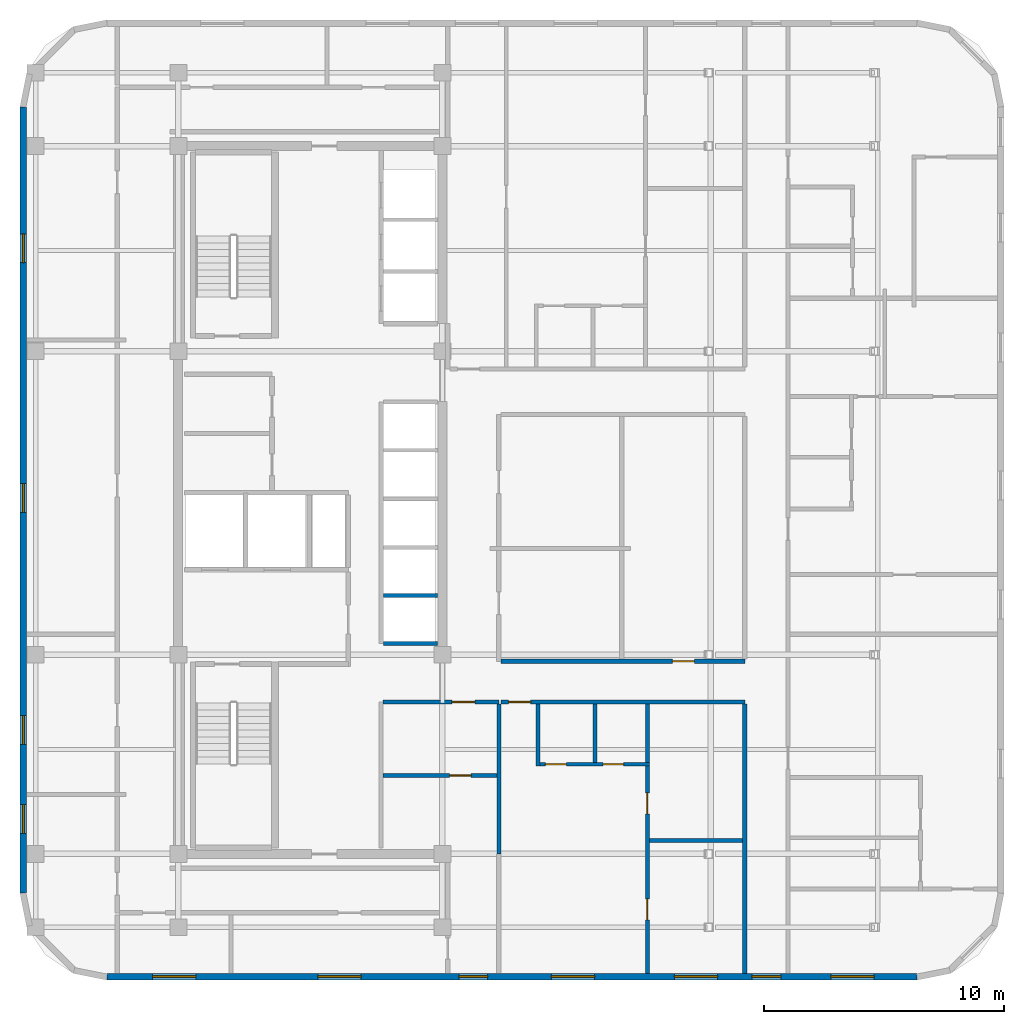
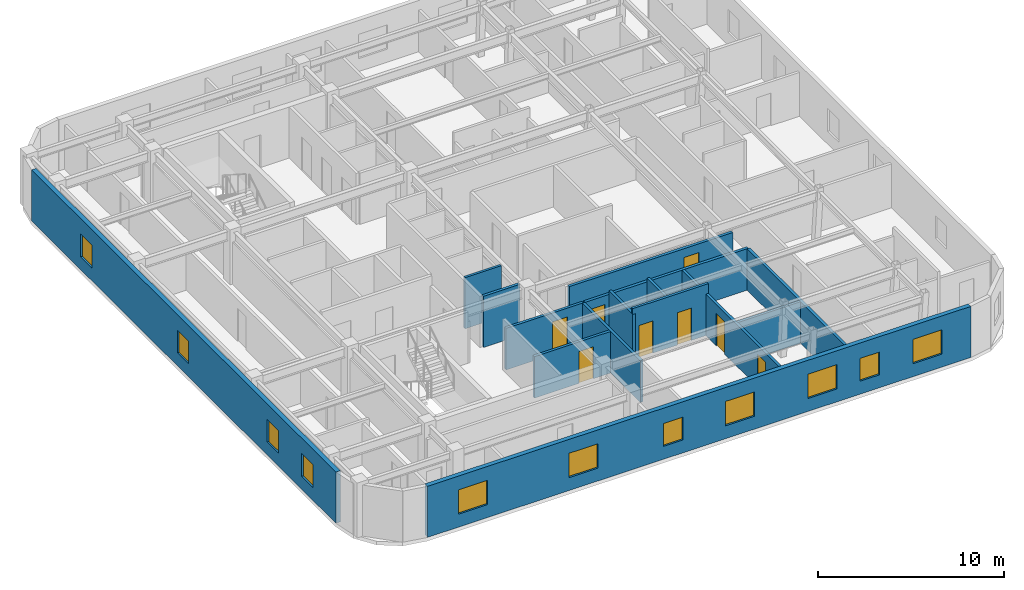
# One storey, part 3 of 8: 15 walls, 11 windows, 8 doors, 19 openings.
"""IFC4 building model written with IfcOpenShell, lengths in metres."""

from ifc_helpers import new_model, si_unit, direction, frame, frame_2d, origin, place, context, subcontext, project, spatial, rectangle, extrude, material, layer, layer_set, type_object, element, fill, save


model = new_model("IFC4")

# Units and contexts
model_context = context("Model", 3, precision=1e-05, world=origin(), true_north=direction((0.0, 1.0)))
body_context = subcontext(model_context, "Body", "Model", "MODEL_VIEW")
ifc_project = project(units=[si_unit("LENGTHUNIT", "METRE"), si_unit("AREAUNIT", "SQUARE_METRE"), si_unit("VOLUMEUNIT", "CUBIC_METRE"), si_unit("PLANEANGLEUNIT", "RADIAN"), si_unit("MASSUNIT", "GRAM", prefix="KILO")], contexts=[model_context])

# Site, building, storey
site_placement = place(None, origin())
site = spatial("IfcSite", under=ifc_project, at=site_placement, CompositionType="ELEMENT")
building_placement = place(site_placement, origin())
building = spatial("IfcBuilding", under=site, at=building_placement, Name="Ochreholt Gables", CompositionType="ELEMENT")
storey_placement = place(building_placement, frame((0.0, 0.0, 181.199951171875)))
storey = spatial("IfcBuildingStorey", under=building, at=storey_placement, Name="L47", CompositionType="ELEMENT", Elevation=181.199951171875)

# Wall, openings, windows
ifc_material_1 = material(Name="Precast concrete 40 MPa", Category="concrete")
ifc_layer_1 = layer(ifc_material_1, 0.280029296875, Name="Precast concrete 40 MPa")
ifc_layer_set_1 = layer_set([ifc_layer_1], Name="Precast concrete 40 MPa")
wall_type_1 = type_object("IfcWallType", Name="WALL-EXT-280", PredefinedType="SOLIDWALL", material=ifc_layer_set_1)
wall_1_placement = place(storey_placement, frame((21.219970703125, 4.139892578125, 0.0), z_axis=(0.0, 0.0, 1.0), x_axis=(1.0, 0.0, 0.0)))
wall_1 = element("IfcWall", 1, at=wall_1_placement, inside=storey, type_object=wall_type_1, Name="L47 South Exterior Wall", PredefinedType="SOLIDWALL", context=body_context, shape_type="SweptSolid", body=[
    extrude(rectangle(XDim=33.760009765625, YDim=0.280029296875, at=frame_2d((16.8798828125, 0.0))), origin(), (0.0, 0.0, 1.0), 3.360107421875),
])
opening_1_placement = place(wall_1_placement, frame((1.905029296875, 0.0, 0.85009765625)))
opening_1 = element("IfcOpeningElement", 2, at=opening_1_placement, cuts=wall_1, Name="Opening WN-1", PredefinedType="OPENING", context=body_context, shape_type="SweptSolid", body=[
    extrude(rectangle(XDim=1.800048828125, YDim=1.60009765625, at=frame_2d((0.89990234375, 0.800048828125))), frame((0.0, 0.14990234375, 0.0), z_axis=(0.0, -1.0, 0.0), x_axis=(1.0, 0.0, 0.0)), (0.0, 0.0, 1.0), 0.300048828125),
])
opening_2_placement = place(wall_1_placement, frame((8.7900390625, 0.0, 0.85009765625)))
opening_2 = element("IfcOpeningElement", 3, at=opening_2_placement, cuts=wall_1, Name="Opening WN-1", PredefinedType="OPENING", context=body_context, shape_type="SweptSolid", body=[
    extrude(rectangle(XDim=1.800048828125, YDim=1.60009765625, at=frame_2d((0.89990234375, 0.800048828125))), frame((0.0, 0.14990234375, 0.0), z_axis=(0.0, -1.0, 0.0), x_axis=(1.0, 0.0, 0.0)), (0.0, 0.0, 1.0), 0.300048828125),
])
opening_3_placement = place(wall_1_placement, frame((14.6650390625, 0.0, 0.85009765625)))
opening_3 = element("IfcOpeningElement", 4, at=opening_3_placement, cuts=wall_1, Name="Opening WN-3", PredefinedType="OPENING", context=body_context, shape_type="SweptSolid", body=[
    extrude(rectangle(XDim=1.199951171875, YDim=1.5, at=frame_2d((0.60009765625, 0.75))), frame((0.0, 0.14990234375, 0.0), z_axis=(0.0, -1.0, 0.0), x_axis=(1.0, 0.0, 0.0)), (0.0, 0.0, 1.0), 0.300048828125),
])
opening_4_placement = place(wall_1_placement, frame((18.52490234375, 0.0, 0.85009765625)))
opening_4 = element("IfcOpeningElement", 5, at=opening_4_placement, cuts=wall_1, Name="Opening WN-1", PredefinedType="OPENING", context=body_context, shape_type="SweptSolid", body=[
    extrude(rectangle(XDim=1.800048828125, YDim=1.60009765625, at=frame_2d((0.89990234375, 0.800048828125))), frame((0.0, 0.14990234375, 0.0), z_axis=(0.0, -1.0, 0.0), x_axis=(1.0, 0.0, 0.0)), (0.0, 0.0, 1.0), 0.300048828125),
])
opening_5_placement = place(wall_1_placement, frame((23.64990234375, 0.0, 0.85009765625)))
opening_5 = element("IfcOpeningElement", 6, at=opening_5_placement, cuts=wall_1, Name="Opening WN-1", PredefinedType="OPENING", context=body_context, shape_type="SweptSolid", body=[
    extrude(rectangle(XDim=1.800048828125, YDim=1.60009765625, at=frame_2d((0.89990234375, 0.800048828125))), frame((0.0, 0.14990234375, 0.0), z_axis=(0.0, -1.0, 0.0), x_axis=(1.0, 0.0, 0.0)), (0.0, 0.0, 1.0), 0.300048828125),
])
opening_6_placement = place(wall_1_placement, frame((26.8798828125, 0.0, 0.85009765625)))
opening_6 = element("IfcOpeningElement", 7, at=opening_6_placement, cuts=wall_1, Name="Opening WN-3", PredefinedType="OPENING", context=body_context, shape_type="SweptSolid", body=[
    extrude(rectangle(XDim=1.199951171875, YDim=1.5, at=frame_2d((0.60009765625, 0.75))), frame((0.0, 0.14990234375, 0.0), z_axis=(0.0, -1.0, 0.0), x_axis=(1.0, 0.0, 0.0)), (0.0, 0.0, 1.0), 0.300048828125),
])
opening_7_placement = place(wall_1_placement, frame((30.169921875, 0.0, 0.85009765625)))
opening_7 = element("IfcOpeningElement", 8, at=opening_7_placement, cuts=wall_1, Name="Opening WN-1", PredefinedType="OPENING", context=body_context, shape_type="SweptSolid", body=[
    extrude(rectangle(XDim=1.800048828125, YDim=1.60009765625, at=frame_2d((0.89990234375, 0.800048828125))), frame((0.0, 0.14990234375, 0.0), z_axis=(0.0, -1.0, 0.0), x_axis=(1.0, 0.0, 0.0)), (0.0, 0.0, 1.0), 0.300048828125),
])
ifc_material_2 = material(Name="Triple-Glazed Thermally Broken Aluminium Window", Category="aluminium")
window_type_1 = type_object("IfcWindowType", Name="WIN-RES-1200", PartitioningType="SINGLE_PANEL", PredefinedType="WINDOW", material=ifc_material_2)
window_1_placement = place(opening_3_placement, origin())
window_1 = element("IfcWindow", 9, at=window_1_placement, inside=storey, type_object=window_type_1, Name="L47 Window W-EXT-S-L47-3", OverallHeight=1.5, OverallWidth=1.199951171875, PartitioningType="SINGLE_PANEL", PredefinedType="WINDOW", context=body_context, shape_type="SweptSolid", body=[
    extrude(rectangle(XDim=1.199951171875, YDim=1.5, at=frame_2d((0.60009765625, 0.75))), frame((0.0, 0.030029296875, 0.0), z_axis=(0.0, -1.0, 0.0), x_axis=(1.0, 0.0, 0.0)), (0.0, 0.0, 1.0), 0.06005859375),
])
fill(opening_3, window_1)
window_2_placement = place(opening_6_placement, origin())
window_2 = element("IfcWindow", 10, at=window_2_placement, inside=storey, type_object=window_type_1, Name="L47 Window W-EXT-S-L47-6", OverallHeight=1.5, OverallWidth=1.199951171875, PartitioningType="SINGLE_PANEL", PredefinedType="WINDOW", context=body_context, shape_type="SweptSolid", body=[
    extrude(rectangle(XDim=1.199951171875, YDim=1.5, at=frame_2d((0.60009765625, 0.75))), frame((0.0, 0.030029296875, 0.0), z_axis=(0.0, -1.0, 0.0), x_axis=(1.0, 0.0, 0.0)), (0.0, 0.0, 1.0), 0.06005859375),
])
fill(opening_6, window_2)
window_type_2 = type_object("IfcWindowType", Name="WIN-RES-1800", PartitioningType="SINGLE_PANEL", PredefinedType="WINDOW", material=ifc_material_2)
window_3_placement = place(opening_1_placement, origin())
window_3 = element("IfcWindow", 11, at=window_3_placement, inside=storey, type_object=window_type_2, Name="L47 Window W-EXT-S-L47-1", OverallHeight=1.60009765625, OverallWidth=1.800048828125, PartitioningType="SINGLE_PANEL", PredefinedType="WINDOW", context=body_context, shape_type="SweptSolid", body=[
    extrude(rectangle(XDim=1.800048828125, YDim=1.60009765625, at=frame_2d((0.89990234375, 0.800048828125))), frame((0.0, 0.030029296875, 0.0), z_axis=(0.0, -1.0, 0.0), x_axis=(1.0, 0.0, 0.0)), (0.0, 0.0, 1.0), 0.06005859375),
])
fill(opening_1, window_3)
window_4_placement = place(opening_2_placement, origin())
window_4 = element("IfcWindow", 12, at=window_4_placement, inside=storey, type_object=window_type_2, Name="L47 Window W-EXT-S-L47-2", OverallHeight=1.60009765625, OverallWidth=1.800048828125, PartitioningType="SINGLE_PANEL", PredefinedType="WINDOW", context=body_context, shape_type="SweptSolid", body=[
    extrude(rectangle(XDim=1.800048828125, YDim=1.60009765625, at=frame_2d((0.89990234375, 0.800048828125))), frame((0.0, 0.030029296875, 0.0), z_axis=(0.0, -1.0, 0.0), x_axis=(1.0, 0.0, 0.0)), (0.0, 0.0, 1.0), 0.06005859375),
])
fill(opening_2, window_4)
window_5_placement = place(opening_4_placement, origin())
window_5 = element("IfcWindow", 13, at=window_5_placement, inside=storey, type_object=window_type_2, Name="L47 Window W-EXT-S-L47-4", OverallHeight=1.60009765625, OverallWidth=1.800048828125, PartitioningType="SINGLE_PANEL", PredefinedType="WINDOW", context=body_context, shape_type="SweptSolid", body=[
    extrude(rectangle(XDim=1.800048828125, YDim=1.60009765625, at=frame_2d((0.89990234375, 0.800048828125))), frame((0.0, 0.030029296875, 0.0), z_axis=(0.0, -1.0, 0.0), x_axis=(1.0, 0.0, 0.0)), (0.0, 0.0, 1.0), 0.06005859375),
])
fill(opening_4, window_5)
window_6_placement = place(opening_5_placement, origin())
window_6 = element("IfcWindow", 14, at=window_6_placement, inside=storey, type_object=window_type_2, Name="L47 Window W-EXT-S-L47-5", OverallHeight=1.60009765625, OverallWidth=1.800048828125, PartitioningType="SINGLE_PANEL", PredefinedType="WINDOW", context=body_context, shape_type="SweptSolid", body=[
    extrude(rectangle(XDim=1.800048828125, YDim=1.60009765625, at=frame_2d((0.89990234375, 0.800048828125))), frame((0.0, 0.030029296875, 0.0), z_axis=(0.0, -1.0, 0.0), x_axis=(1.0, 0.0, 0.0)), (0.0, 0.0, 1.0), 0.06005859375),
])
fill(opening_5, window_6)
window_7_placement = place(opening_7_placement, origin())
window_7 = element("IfcWindow", 15, at=window_7_placement, inside=storey, type_object=window_type_2, Name="L47 Window W-EXT-S-L47-7", OverallHeight=1.60009765625, OverallWidth=1.800048828125, PartitioningType="SINGLE_PANEL", PredefinedType="WINDOW", context=body_context, shape_type="SweptSolid", body=[
    extrude(rectangle(XDim=1.800048828125, YDim=1.60009765625, at=frame_2d((0.89990234375, 0.800048828125))), frame((0.0, 0.030029296875, 0.0), z_axis=(0.0, -1.0, 0.0), x_axis=(1.0, 0.0, 0.0)), (0.0, 0.0, 1.0), 0.06005859375),
])
fill(opening_7, window_7)

wall_2_placement = place(storey_placement, frame((17.739990234375, 40.3798828125, 0.0), z_axis=(0.0, 0.0, 1.0), x_axis=(0.0, -1.0, 0.0)))
wall_2 = element("IfcWall", 16, at=wall_2_placement, inside=storey, type_object=wall_type_1, Name="L47 West Exterior Wall", PredefinedType="SOLIDWALL", context=body_context, shape_type="SweptSolid", body=[
    extrude(rectangle(XDim=32.759765625, YDim=0.280029296875, at=frame_2d((16.3798828125, 0.0))), origin(), (0.0, 0.0, 1.0), 3.360107421875),
])
opening_8_placement = place(wall_2_placement, frame((29.072509765625, 0.0, 0.85009765625)))
opening_8 = element("IfcOpeningElement", 17, at=opening_8_placement, cuts=wall_2, Name="Opening WN-3", PredefinedType="OPENING", context=body_context, shape_type="SweptSolid", body=[
    extrude(rectangle(XDim=1.199951171875, YDim=1.5, at=frame_2d((0.60009765625, 0.75))), frame((0.0, 0.14990234375, 0.0), z_axis=(0.0, -1.0, 0.0), x_axis=(1.0, 0.0, 0.0)), (0.0, 0.0, 1.0), 0.300048828125),
])
opening_9_placement = place(wall_2_placement, frame((25.362548828125, 0.0, 0.85009765625)))
opening_9 = element("IfcOpeningElement", 18, at=opening_9_placement, cuts=wall_2, Name="Opening WN-3", PredefinedType="OPENING", context=body_context, shape_type="SweptSolid", body=[
    extrude(rectangle(XDim=1.199951171875, YDim=1.5, at=frame_2d((0.60009765625, 0.75))), frame((0.0, 0.14990234375, 0.0), z_axis=(0.0, -1.0, 0.0), x_axis=(1.0, 0.0, 0.0)), (0.0, 0.0, 1.0), 0.300048828125),
])
opening_10_placement = place(wall_2_placement, frame((15.699951171875, 0.0, 0.85009765625)))
opening_10 = element("IfcOpeningElement", 19, at=opening_10_placement, cuts=wall_2, Name="Opening WN-3", PredefinedType="OPENING", context=body_context, shape_type="SweptSolid", body=[
    extrude(rectangle(XDim=1.199951171875, YDim=1.5, at=frame_2d((0.60009765625, 0.75))), frame((0.0, 0.14990234375, 0.0), z_axis=(0.0, -1.0, 0.0), x_axis=(1.0, 0.0, 0.0)), (0.0, 0.0, 1.0), 0.300048828125),
])
opening_11_placement = place(wall_2_placement, frame((5.28759765625, 0.0, 0.85009765625)))
opening_11 = element("IfcOpeningElement", 20, at=opening_11_placement, cuts=wall_2, Name="Opening WN-3", PredefinedType="OPENING", context=body_context, shape_type="SweptSolid", body=[
    extrude(rectangle(XDim=1.199951171875, YDim=1.5, at=frame_2d((0.60009765625, 0.75))), frame((0.0, 0.14990234375, 0.0), z_axis=(0.0, -1.0, 0.0), x_axis=(1.0, 0.0, 0.0)), (0.0, 0.0, 1.0), 0.300048828125),
])
window_8_placement = place(opening_8_placement, origin())
window_8 = element("IfcWindow", 21, at=window_8_placement, inside=storey, type_object=window_type_1, Name="L47 Window W-EXT-W-L47-1", OverallHeight=1.5, OverallWidth=1.199951171875, PartitioningType="SINGLE_PANEL", PredefinedType="WINDOW", context=body_context, shape_type="SweptSolid", body=[
    extrude(rectangle(XDim=1.199951171875, YDim=1.5, at=frame_2d((0.60009765625, 0.75))), frame((0.0, 0.030029296875, 0.0), z_axis=(0.0, -1.0, 0.0), x_axis=(1.0, 0.0, 0.0)), (0.0, 0.0, 1.0), 0.06005859375),
])
fill(opening_8, window_8)
window_9_placement = place(opening_9_placement, origin())
window_9 = element("IfcWindow", 22, at=window_9_placement, inside=storey, type_object=window_type_1, Name="L47 Window W-EXT-W-L47-2", OverallHeight=1.5, OverallWidth=1.199951171875, PartitioningType="SINGLE_PANEL", PredefinedType="WINDOW", context=body_context, shape_type="SweptSolid", body=[
    extrude(rectangle(XDim=1.199951171875, YDim=1.5, at=frame_2d((0.60009765625, 0.75))), frame((0.0, 0.030029296875, 0.0), z_axis=(0.0, -1.0, 0.0), x_axis=(1.0, 0.0, 0.0)), (0.0, 0.0, 1.0), 0.06005859375),
])
fill(opening_9, window_9)
window_10_placement = place(opening_10_placement, origin())
window_10 = element("IfcWindow", 23, at=window_10_placement, inside=storey, type_object=window_type_1, Name="L47 Window W-EXT-W-L47-3", OverallHeight=1.5, OverallWidth=1.199951171875, PartitioningType="SINGLE_PANEL", PredefinedType="WINDOW", context=body_context, shape_type="SweptSolid", body=[
    extrude(rectangle(XDim=1.199951171875, YDim=1.5, at=frame_2d((0.60009765625, 0.75))), frame((0.0, 0.030029296875, 0.0), z_axis=(0.0, -1.0, 0.0), x_axis=(1.0, 0.0, 0.0)), (0.0, 0.0, 1.0), 0.06005859375),
])
fill(opening_10, window_10)
window_11_placement = place(opening_11_placement, origin())
window_11 = element("IfcWindow", 24, at=window_11_placement, inside=storey, type_object=window_type_1, Name="L47 Window W-EXT-W-L47-4", OverallHeight=1.5, OverallWidth=1.199951171875, PartitioningType="SINGLE_PANEL", PredefinedType="WINDOW", context=body_context, shape_type="SweptSolid", body=[
    extrude(rectangle(XDim=1.199951171875, YDim=1.5, at=frame_2d((0.60009765625, 0.75))), frame((0.0, 0.030029296875, 0.0), z_axis=(0.0, -1.0, 0.0), x_axis=(1.0, 0.0, 0.0)), (0.0, 0.0, 1.0), 0.06005859375),
])
fill(opening_11, window_11)

# Wall, opening, door
ifc_material_3 = material(Name="Fire-Rated Gypsum Acoustic Partition", Category="gypsum")
ifc_layer_2 = layer(ifc_material_3, 0.179931640625, Name="Fire-Rated Gypsum Acoustic Partition")
ifc_layer_set_2 = layer_set([ifc_layer_2], Name="Fire-Rated Gypsum Acoustic Partition")
wall_type_2 = type_object("IfcWallType", Name="WALL-INT-CR180", PredefinedType="STANDARD", material=ifc_layer_set_2)
wall_3_placement = place(storey_placement, frame((37.632568359375, 15.580078125, 0.0), z_axis=(0.0, 0.0, 1.0), x_axis=(1.0, 0.0, 0.0)))
wall_3 = element("IfcWall", 25, at=wall_3_placement, inside=storey, type_object=wall_type_2, Name="L47 Interior Wall WI-C2SS1-L47", PredefinedType="STANDARD", context=body_context, shape_type="SweptSolid", body=[
    extrude(rectangle(XDim=10.16748046875, YDim=0.179931640625, at=frame_2d((5.083740234375, 0.0))), origin(), (0.0, 0.0, 1.0), 2.72998046875),
])
opening_12_placement = place(wall_3_placement, frame((0.327392578125, 0.0, 0.0)))
opening_12 = element("IfcOpeningElement", 26, at=opening_12_placement, cuts=wall_3, Name="Opening D-UN1", PredefinedType="OPENING", context=body_context, shape_type="SweptSolid", body=[
    extrude(rectangle(XDim=0.919921875, YDim=2.14990234375, at=frame_2d((0.4599609375, 1.074951171875))), frame((0.0, 0.099853515625, 0.0), z_axis=(0.0, -1.0, 0.0), x_axis=(1.0, 0.0, 0.0)), (0.0, 0.0, 1.0), 0.199951171875),
])
ifc_material_4 = material(Name="Engineered Oak Timber", Category="wood")
door_type_1 = type_object("IfcDoorType", Name="DR-INT-UNT920", OperationType="NOTDEFINED", PredefinedType="DOOR", material=ifc_material_4)
door_1_placement = place(opening_12_placement, origin())
door_1 = element("IfcDoor", 27, at=door_1_placement, inside=storey, type_object=door_type_1, Name="L47 Door D-U-L47S1-ENT", OperationType="SINGLE_SWING_RIGHT", OverallHeight=2.14990234375, OverallWidth=0.919921875, PredefinedType="DOOR", context=body_context, shape_type="SweptSolid", body=[
    extrude(rectangle(XDim=0.919921875, YDim=2.14990234375, at=frame_2d((0.4599609375, 1.074951171875))), frame((0.0, 0.02490234375, 0.0), z_axis=(0.0, -1.0, 0.0), x_axis=(1.0, 0.0, 0.0)), (0.0, 0.0, 1.0), 0.050048828125),
])
fill(opening_12, door_1)

wall_4_placement = place(storey_placement, frame((37.639892578125, 17.280029296875, 0.0), z_axis=(0.0, 0.0, 1.0), x_axis=(1.0, 0.0, 0.0)))
wall_4 = element("IfcWall", 28, at=wall_4_placement, inside=storey, type_object=wall_type_2, Name="L47 Interior Wall WI-C2SS2-L47", PredefinedType="STANDARD", context=body_context, shape_type="SweptSolid", body=[
    extrude(rectangle(XDim=10.16015625, YDim=0.179931640625, at=frame_2d((5.080078125, 0.0))), origin(), (0.0, 0.0, 1.0), 2.72998046875),
])
opening_13_placement = place(wall_4_placement, frame((7.137451171875, 0.0, 0.0)))
opening_13 = element("IfcOpeningElement", 29, at=opening_13_placement, cuts=wall_4, Name="Opening D-UN1", PredefinedType="OPENING", context=body_context, shape_type="SweptSolid", body=[
    extrude(rectangle(XDim=0.919921875, YDim=2.14990234375, at=frame_2d((0.4599609375, 1.074951171875))), frame((0.0, 0.099853515625, 0.0), z_axis=(0.0, -1.0, 0.0), x_axis=(1.0, 0.0, 0.0)), (0.0, 0.0, 1.0), 0.199951171875),
])
door_2_placement = place(opening_13_placement, origin())
door_2 = element("IfcDoor", 30, at=door_2_placement, inside=storey, type_object=door_type_1, Name="L47 Door D-U-L47M2-ENT", OperationType="SINGLE_SWING_LEFT", OverallHeight=2.14990234375, OverallWidth=0.919921875, PredefinedType="DOOR", context=body_context, shape_type="SweptSolid", body=[
    extrude(rectangle(XDim=0.919921875, YDim=2.14990234375, at=frame_2d((0.4599609375, 1.074951171875))), frame((0.0, 0.02490234375, 0.0), z_axis=(0.0, -1.0, 0.0), x_axis=(1.0, 0.0, 0.0)), (0.0, 0.0, 1.0), 0.050048828125),
])
fill(opening_13, door_2)

# Wall
wall_5_placement = place(storey_placement, frame((47.800048828125, 4.280029296875, 0.0), z_axis=(0.0, 0.0, 1.0), x_axis=(0.0, 1.0, 0.0)))
element("IfcWall", 31, at=wall_5_placement, inside=storey, type_object=wall_type_2, Name="L47 Interior Wall WI-C2FEGW1-L47", PredefinedType="STANDARD", context=body_context, shape_type="SweptSolid", body=[
    extrude(rectangle(XDim=11.2099609375, YDim=0.179931640625, at=frame_2d((5.60498046875, 0.0))), origin(), (0.0, 0.0, 1.0), 2.72998046875),
])

# Wall, openings, doors
ifc_material_5 = material(Name="Moisture-Resistant Plumbing Chase Wall", Category="gypsum")
ifc_layer_3 = layer(ifc_material_5, 0.159912109375, Name="Moisture-Resistant Plumbing Chase Wall")
ifc_layer_set_3 = layer_set([ifc_layer_3], Name="Moisture-Resistant Plumbing Chase Wall")
wall_type_3 = type_object("IfcWallType", Name="WALL-INT-PL160", PredefinedType="PLUMBINGWALL", material=ifc_layer_set_3)
wall_6_placement = place(storey_placement, frame((39.110107421875, 12.992431640625, 0.0), z_axis=(0.0, 0.0, 1.0), x_axis=(1.0, 0.0, 0.0)))
wall_6 = element("IfcWall", 32, at=wall_6_placement, inside=storey, type_object=wall_type_3, Name="L47 Interior Wall WU-L47S1-WY", PredefinedType="PLUMBINGWALL", context=body_context, shape_type="SweptSolid", body=[
    extrude(rectangle(XDim=4.7099609375, YDim=0.159912109375, at=frame_2d((2.35498046875, 0.0))), origin(), (0.0, 0.0, 1.0), 3.360107421875),
])
opening_14_placement = place(wall_6_placement, frame((0.3798828125, 0.0, 0.0)))
opening_14 = element("IfcOpeningElement", 33, at=opening_14_placement, cuts=wall_6, Name="Opening D-GN2", PredefinedType="OPENING", context=body_context, shape_type="SweptSolid", body=[
    extrude(rectangle(XDim=0.8798828125, YDim=2.1201171875, at=frame_2d((0.43994140625, 1.06005859375))), frame((0.0, 0.08984375, 0.0), z_axis=(0.0, -1.0, 0.0), x_axis=(1.0, 0.0, 0.0)), (0.0, 0.0, 1.0), 0.179931640625),
])
opening_15_placement = place(wall_6_placement, frame((2.785888671875, 0.0, 0.0)))
opening_15 = element("IfcOpeningElement", 34, at=opening_15_placement, cuts=wall_6, Name="Opening D-BT1", PredefinedType="OPENING", context=body_context, shape_type="SweptSolid", body=[
    extrude(rectangle(XDim=0.860107421875, YDim=2.1201171875, at=frame_2d((0.43017578125, 1.06005859375))), frame((0.0, 0.08984375, 0.0), z_axis=(0.0, -1.0, 0.0), x_axis=(1.0, 0.0, 0.0)), (0.0, 0.0, 1.0), 0.179931640625),
])
door_type_2 = type_object("IfcDoorType", Name="DR-INT-BTH860", OperationType="NOTDEFINED", PredefinedType="DOOR", material=ifc_material_4)
door_3_placement = place(opening_15_placement, origin())
door_3 = element("IfcDoor", 35, at=door_3_placement, inside=storey, type_object=door_type_2, Name="L47 Door D-U-L47S1-BTH", OperationType="SINGLE_SWING_RIGHT", OverallHeight=2.1201171875, OverallWidth=0.860107421875, PredefinedType="DOOR", context=body_context, shape_type="SweptSolid", body=[
    extrude(rectangle(XDim=0.860107421875, YDim=2.1201171875, at=frame_2d((0.43017578125, 1.06005859375))), frame((0.0, 0.02490234375, 0.0), z_axis=(0.0, -1.0, 0.0), x_axis=(1.0, 0.0, 0.0)), (0.0, 0.0, 1.0), 0.050048828125),
])
fill(opening_15, door_3)
door_type_3 = type_object("IfcDoorType", Name="DR-INT-GEN880", OperationType="NOTDEFINED", PredefinedType="DOOR", material=ifc_material_4)
door_4_placement = place(opening_14_placement, origin())
door_4 = element("IfcDoor", 36, at=door_4_placement, inside=storey, type_object=door_type_3, Name="L47 Door D-U-L47S1-KIT", OperationType="SINGLE_SWING_LEFT", OverallHeight=2.1201171875, OverallWidth=0.8798828125, PredefinedType="DOOR", context=body_context, shape_type="SweptSolid", body=[
    extrude(rectangle(XDim=0.8798828125, YDim=2.1201171875, at=frame_2d((0.43994140625, 1.06005859375))), frame((0.0, 0.02490234375, 0.0), z_axis=(0.0, -1.0, 0.0), x_axis=(1.0, 0.0, 0.0)), (0.0, 0.0, 1.0), 0.050048828125),
])
fill(opening_14, door_4)

# Walls
wall_7_placement = place(storey_placement, frame((39.18994140625, 12.91259765625, 0.0), z_axis=(0.0, 0.0, 1.0), x_axis=(0.0, 1.0, 0.0)))
element("IfcWall", 37, at=wall_7_placement, inside=storey, type_object=wall_type_3, Name="L47 Interior Wall WU-L47S1-FY", PredefinedType="PLUMBINGWALL", context=body_context, shape_type="SweptSolid", body=[
    extrude(rectangle(XDim=2.577392578125, YDim=0.159912109375, at=frame_2d((1.28857421875, 0.0))), origin(), (0.0, 0.0, 1.0), 2.984130859375),
])
wall_8_placement = place(storey_placement, frame((41.555908203125, 13.072509765625, 0.0), z_axis=(0.0, 0.0, 1.0), x_axis=(0.0, 1.0, 0.0)))
element("IfcWall", 38, at=wall_8_placement, inside=storey, type_object=wall_type_3, Name="L47 Interior Wall WU-L47S1-WK", PredefinedType="PLUMBINGWALL", context=body_context, shape_type="SweptSolid", body=[
    extrude(rectangle(XDim=2.41748046875, YDim=0.159912109375, at=frame_2d((1.208740234375, 0.0))), origin(), (0.0, 0.0, 1.0), 2.984130859375),
])

# Wall, opening, door
ifc_material_6 = material(Name="Gypsum Acoustic Stud Partition", Category="gypsum")
ifc_layer_4 = layer(ifc_material_6, 0.1650390625, Name="Gypsum Acoustic Stud Partition")
ifc_layer_set_4 = layer_set([ifc_layer_4], Name="Gypsum Acoustic Stud Partition")
wall_type_4 = type_object("IfcWallType", Name="WALL-INT-PT165", PredefinedType="PARTITIONING", material=ifc_layer_set_4)
wall_9_placement = place(storey_placement, frame((32.732421875, 15.580078125, 0.0), z_axis=(0.0, 0.0, 1.0), x_axis=(1.0, 0.0, 0.0)))
wall_9 = element("IfcWall", 39, at=wall_9_placement, inside=storey, type_object=wall_type_4, Name="L47 Interior Wall WI-RCL-N-L47", PredefinedType="PARTITIONING", context=body_context, shape_type="SweptSolid", body=[
    extrude(rectangle(XDim=4.817626953125, YDim=0.1650390625, at=frame_2d((2.40869140625, 0.0))), origin(), (0.0, 0.0, 1.0), 2.72998046875),
])
opening_16_placement = place(wall_9_placement, frame((2.867431640625, 0.0, 0.0)))
opening_16 = element("IfcOpeningElement", 40, at=opening_16_placement, cuts=wall_9, Name="Opening D-GN1", PredefinedType="OPENING", context=body_context, shape_type="SweptSolid", body=[
    extrude(rectangle(XDim=0.949951171875, YDim=2.14990234375, at=frame_2d((0.47509765625, 1.074951171875))), frame((0.0, 0.092529296875, 0.0), z_axis=(0.0, -1.0, 0.0), x_axis=(1.0, 0.0, 0.0)), (0.0, 0.0, 1.0), 0.18505859375),
])
door_type_4 = type_object("IfcDoorType", Name="DR-INT-GEN950", OperationType="NOTDEFINED", PredefinedType="DOOR", material=ifc_material_4)
door_5_placement = place(opening_16_placement, origin())
door_5 = element("IfcDoor", 41, at=door_5_placement, inside=storey, type_object=door_type_4, Name="L47 Door D-RCL-L47", OperationType="SINGLE_SWING_LEFT", OverallHeight=2.14990234375, OverallWidth=0.949951171875, PredefinedType="DOOR", context=body_context, shape_type="SweptSolid", body=[
    extrude(rectangle(XDim=0.949951171875, YDim=2.14990234375, at=frame_2d((0.47509765625, 1.074951171875))), frame((0.0, 0.02490234375, 0.0), z_axis=(0.0, -1.0, 0.0), x_axis=(1.0, 0.0, 0.0)), (0.0, 0.0, 1.0), 0.050048828125),
])
fill(opening_16, door_5)

# Wall
wall_10_placement = place(storey_placement, frame((37.550048828125, 9.25, 0.0), z_axis=(0.0, 0.0, 1.0), x_axis=(0.0, 1.0, 0.0)))
element("IfcWall", 42, at=wall_10_placement, inside=storey, type_object=wall_type_4, Name="L47 Interior Wall WI-RCL-E-L47", PredefinedType="PARTITIONING", context=body_context, shape_type="SweptSolid", body=[
    extrude(rectangle(XDim=6.24755859375, YDim=0.1650390625, at=frame_2d((3.123779296875, 0.0))), origin(), (0.0, 0.0, 1.0), 2.72998046875),
])

# Wall, opening, door
wall_11_placement = place(storey_placement, frame((32.732421875, 12.52001953125, 0.0), z_axis=(0.0, 0.0, 1.0), x_axis=(1.0, 0.0, 0.0)))
wall_11 = element("IfcWall", 43, at=wall_11_placement, inside=storey, type_object=wall_type_4, Name="L47 Interior Wall WI-RCL-DV-L47", PredefinedType="PARTITIONING", context=body_context, shape_type="SweptSolid", body=[
    extrude(rectangle(XDim=4.735107421875, YDim=0.1650390625, at=frame_2d((2.36767578125, 0.0))), origin(), (0.0, 0.0, 1.0), 2.72998046875),
])
opening_17_placement = place(wall_11_placement, frame((2.767578125, 0.0, 0.0)))
opening_17 = element("IfcOpeningElement", 44, at=opening_17_placement, cuts=wall_11, Name="Opening D-SV1", PredefinedType="OPENING", context=body_context, shape_type="SweptSolid", body=[
    extrude(rectangle(XDim=0.89990234375, YDim=2.10009765625, at=frame_2d((0.449951171875, 1.050048828125))), frame((0.0, 0.092529296875, 0.0), z_axis=(0.0, -1.0, 0.0), x_axis=(1.0, 0.0, 0.0)), (0.0, 0.0, 1.0), 0.18505859375),
])
ifc_material_7 = material(Name="Hollow Metal Steel", Category="steel")
door_type_5 = type_object("IfcDoorType", Name="DR-INT-SRV900", OperationType="NOTDEFINED", PredefinedType="DOOR", material=ifc_material_7)
door_6_placement = place(opening_17_placement, origin())
door_6 = element("IfcDoor", 45, at=door_6_placement, inside=storey, type_object=door_type_5, Name="L47 Door D-RCLI-L47", OperationType="SINGLE_SWING_RIGHT", OverallHeight=2.10009765625, OverallWidth=0.89990234375, PredefinedType="DOOR", context=body_context, shape_type="SweptSolid", body=[
    extrude(rectangle(XDim=0.89990234375, YDim=2.10009765625, at=frame_2d((0.449951171875, 1.050048828125))), frame((0.0, 0.02490234375, 0.0), z_axis=(0.0, -1.0, 0.0), x_axis=(1.0, 0.0, 0.0)), (0.0, 0.0, 1.0), 0.050048828125),
])
fill(opening_17, door_6)

# Wall, openings, doors
wall_12_placement = place(storey_placement, frame((43.739990234375, 4.280029296875, 0.0), z_axis=(0.0, 0.0, 1.0), x_axis=(0.0, 1.0, 0.0)))
wall_12 = element("IfcWall", 46, at=wall_12_placement, inside=storey, type_object=wall_type_4, Name="L47 Interior Wall WU-L47S1-MNX", PredefinedType="PARTITIONING", context=body_context, shape_type="SweptSolid", body=[
    extrude(rectangle(XDim=11.2099609375, YDim=0.1650390625, at=frame_2d((5.60498046875, 0.0))), origin(), (0.0, 0.0, 1.0), 2.72998046875),
])
opening_18_placement = place(wall_12_placement, frame((2.219970703125, 0.0, 0.0)))
opening_18 = element("IfcOpeningElement", 47, at=opening_18_placement, cuts=wall_12, Name="Opening D-BD2", PredefinedType="OPENING", context=body_context, shape_type="SweptSolid", body=[
    extrude(rectangle(XDim=0.8798828125, YDim=2.139892578125, at=frame_2d((0.43994140625, 1.06982421875))), frame((0.0, 0.092529296875, 0.0), z_axis=(0.0, -1.0, 0.0), x_axis=(1.0, 0.0, 0.0)), (0.0, 0.0, 1.0), 0.18505859375),
])
opening_19_placement = place(wall_12_placement, frame((6.641357421875, 0.0, 0.0)))
opening_19 = element("IfcOpeningElement", 48, at=opening_19_placement, cuts=wall_12, Name="Opening D-GN2", PredefinedType="OPENING", context=body_context, shape_type="SweptSolid", body=[
    extrude(rectangle(XDim=0.8798828125, YDim=2.1201171875, at=frame_2d((0.43994140625, 1.06005859375))), frame((0.0, 0.092529296875, 0.0), z_axis=(0.0, -1.0, 0.0), x_axis=(1.0, 0.0, 0.0)), (0.0, 0.0, 1.0), 0.18505859375),
])
door_type_6 = type_object("IfcDoorType", Name="DR-INT-BED880", OperationType="NOTDEFINED", PredefinedType="DOOR", material=ifc_material_4)
door_7_placement = place(opening_18_placement, origin())
door_7 = element("IfcDoor", 49, at=door_7_placement, inside=storey, type_object=door_type_6, Name="L47 Door D-U-L47S1-BD1", OperationType="SINGLE_SWING_RIGHT", OverallHeight=2.139892578125, OverallWidth=0.8798828125, PredefinedType="DOOR", context=body_context, shape_type="SweptSolid", body=[
    extrude(rectangle(XDim=0.8798828125, YDim=2.139892578125, at=frame_2d((0.43994140625, 1.06982421875))), frame((0.0, 0.02490234375, 0.0), z_axis=(0.0, -1.0, 0.0), x_axis=(1.0, 0.0, 0.0)), (0.0, 0.0, 1.0), 0.050048828125),
])
fill(opening_18, door_7)
door_8_placement = place(opening_19_placement, origin())
door_8 = element("IfcDoor", 50, at=door_8_placement, inside=storey, type_object=door_type_3, Name="L47 Door D-U-L47S1-BD2", OperationType="SINGLE_SWING_LEFT", OverallHeight=2.1201171875, OverallWidth=0.8798828125, PredefinedType="DOOR", context=body_context, shape_type="SweptSolid", body=[
    extrude(rectangle(XDim=0.8798828125, YDim=2.1201171875, at=frame_2d((0.43994140625, 1.06005859375))), frame((0.0, 0.02490234375, 0.0), z_axis=(0.0, -1.0, 0.0), x_axis=(1.0, 0.0, 0.0)), (0.0, 0.0, 1.0), 0.050048828125),
])
fill(opening_19, door_8)

# Walls
wall_13_placement = place(storey_placement, frame((43.820068359375, 9.820068359375, 0.0), z_axis=(0.0, 0.0, 1.0), x_axis=(1.0, 0.0, 0.0)))
element("IfcWall", 51, at=wall_13_placement, inside=storey, type_object=wall_type_4, Name="L47 Interior Wall WU-L47S1-RDV", PredefinedType="PARTITIONING", context=body_context, shape_type="SweptSolid", body=[
    extrude(rectangle(XDim=3.889892578125, YDim=0.1650390625, at=frame_2d((1.94482421875, 0.0))), origin(), (0.0, 0.0, 1.0), 2.72998046875),
])
ifc_material_8 = material(Name="Gypsum Shaftliner and Steel Stud", Category="steel")
ifc_layer_5 = layer(ifc_material_8, 0.14990234375, Name="Gypsum Shaftliner and Steel Stud")
ifc_layer_set_5 = layer_set([ifc_layer_5], Name="Gypsum Shaftliner and Steel Stud")
wall_type_5 = type_object("IfcWallType", Name="WALL-INT-SH150", PredefinedType="STANDARD", material=ifc_layer_set_5)
wall_14_placement = place(storey_placement, frame((32.739990234375, 20.02001953125, 0.0), z_axis=(0.0, 0.0, 1.0), x_axis=(1.0, 0.0, 0.0)))
element("IfcWall", 52, at=wall_14_placement, inside=storey, type_object=wall_type_5, Name="L47 Interior Wall WI-LFHE-DH1-L47", PredefinedType="STANDARD", context=body_context, shape_type="SweptSolid", body=[
    extrude(rectangle(XDim=2.260009765625, YDim=0.14990234375, at=frame_2d((1.1298828125, 0.0))), origin(), (0.0, 0.0, 1.0), 3.360107421875),
])
ifc_layer_6 = layer(ifc_material_8, 0.179931640625, Name="Gypsum Shaftliner and Steel Stud")
ifc_layer_set_6 = layer_set([ifc_layer_6], Name="Gypsum Shaftliner and Steel Stud")
wall_type_6 = type_object("IfcWallType", Name="WALL-INT-SH180", PredefinedType="STANDARD", material=ifc_layer_set_6)
wall_15_placement = place(storey_placement, frame((32.739990234375, 18.02001953125, 0.0), z_axis=(0.0, 0.0, 1.0), x_axis=(1.0, 0.0, 0.0)))
element("IfcWall", 53, at=wall_15_placement, inside=storey, type_object=wall_type_6, Name="L47 Interior Wall WI-LFHE-S-L47", PredefinedType="STANDARD", context=body_context, shape_type="SweptSolid", body=[
    extrude(rectangle(XDim=2.260009765625, YDim=0.179931640625, at=frame_2d((1.1298828125, 0.0))), origin(), (0.0, 0.0, 1.0), 3.360107421875),
])

save(model, "model.ifc")
